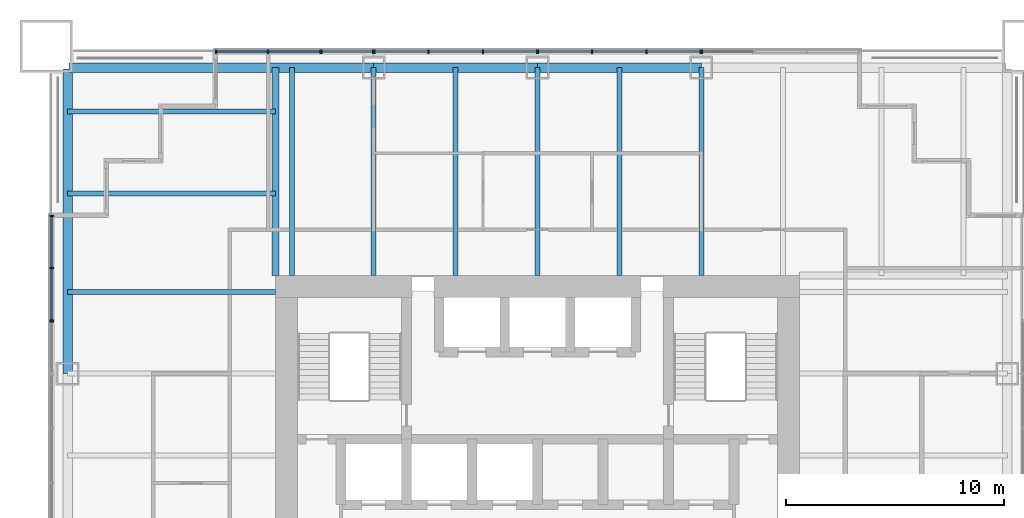
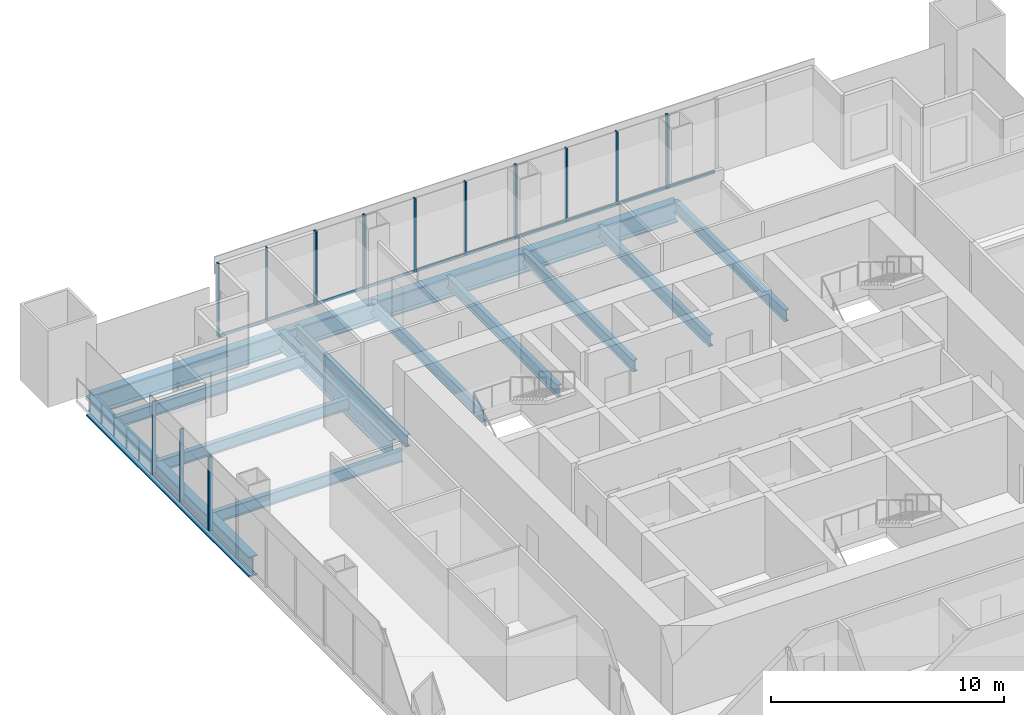
# One storey, part 5 of 13: 30 members, 14 beams, 7 elements without a shape of their own.
"""IFC4 building model written with IfcOpenShell, lengths in metres."""

from ifc_helpers import new_model, si_unit, direction, frame, origin, origin_2d, place, context, subcontext, project, spatial, rectangle, i_section, extrude, material, material_profile, profile_set, type_object, element, aggregate, save


model = new_model("IFC4")

# Units and contexts
model_context = context("Model", 3, precision=1e-05, world=origin(), true_north=direction((0.0, 1.0)))
body_context = subcontext(model_context, "Body", "Model", "MODEL_VIEW")
ifc_project = project(units=[si_unit("LENGTHUNIT", "METRE"), si_unit("AREAUNIT", "SQUARE_METRE"), si_unit("VOLUMEUNIT", "CUBIC_METRE"), si_unit("PLANEANGLEUNIT", "RADIAN"), si_unit("MASSUNIT", "GRAM", prefix="KILO")], contexts=[model_context])

# Site, building, storey
site_placement = place(None, origin())
site = spatial("IfcSite", under=ifc_project, at=site_placement, CompositionType="ELEMENT")
building_placement = place(site_placement, origin())
building = spatial("IfcBuilding", under=site, at=building_placement, Name="Tarangal Relay Tower", CompositionType="ELEMENT")
storey_placement = place(building_placement, frame((0.0, 0.0, 205.89990234375)))
storey = spatial("IfcBuildingStorey", under=building, at=storey_placement, Name="L43", CompositionType="ELEMENT", Elevation=205.89990234375)

# Beams
ifc_material_1 = material(Name="Steel ASTM A992", Category="steel")
ifc_material_profile_1 = material_profile(ifc_material_1, i_section(OverallWidth=0.227783203125, OverallDepth=0.60205078125, WebThickness=0.010498046875, FlangeThickness=0.014892578125, at=origin_2d()), Name="W24X68")
ifc_profile_set_1 = profile_set([ifc_material_profile_1], Name="Steel ASTM A992")
beam_type_1 = type_object("IfcBeamType", Name="Corner beam W24X68", PredefinedType="JOIST", material=ifc_profile_set_1)
for number, where, z_axis, x_axis, name in (
    (1, (-12.0, 15.75, -0.450927734375), (-1.0, 0.0, 0.0), (0.0, -1.0, 0.0), "Corner beam CB11 W L43"),
    (2, (-12.0, 19.5, -0.450927734375), (-1.0, 0.0, 0.0), (0.0, -1.0, 0.0), "Corner beam CB11 W L43"),
):
    element("IfcBeam", number, at=place(storey_placement, frame(where, z_axis=z_axis, x_axis=x_axis)), inside=storey, type_object=beam_type_1, Name=name, PredefinedType="JOIST", context=body_context, shape_type="SweptSolid", body=[
        extrude(i_section(OverallWidth=0.227783203125, OverallDepth=0.60205078125, WebThickness=0.010498046875, FlangeThickness=0.014892578125, at=origin_2d()), origin(), (0.0, 0.0, 1.0), 9.514892578125),
    ])
ifc_material_profile_2 = material_profile(ifc_material_1, i_section(OverallWidth=0.307373046875, OverallDepth=0.9423828125, WebThickness=0.022216796875, FlangeThickness=0.039794921875, at=origin_2d()), Name="W36X232")
ifc_profile_set_2 = profile_set([ifc_material_profile_2], Name="Steel ASTM A992")
beam_type_2 = type_object("IfcBeamType", Name="Corner girder W36X232", PredefinedType="BEAM", material=ifc_profile_set_2)
beam_1_placement = place(storey_placement, frame((-12.0, 12.0, -0.62109375), z_axis=(0.0, 1.0, 0.0), x_axis=(-1.0, 0.0, 0.0)))
element("IfcBeam", 3, at=beam_1_placement, inside=storey, type_object=beam_type_2, Name="Corner girder CG4 W L43", PredefinedType="BEAM", context=body_context, shape_type="SweptSolid", body=[
    extrude(i_section(OverallWidth=0.307373046875, OverallDepth=0.9423828125, WebThickness=0.022216796875, FlangeThickness=0.039794921875, at=origin_2d()), origin(), (0.0, 0.0, 1.0), 9.514892578125),
])
ifc_material_profile_3 = material_profile(ifc_material_1, i_section(OverallWidth=0.41650390625, OverallDepth=1.0693359375, WebThickness=0.0390625, FlangeThickness=0.070068359375, at=origin_2d()), Name="W40X503")
ifc_profile_set_3 = profile_set([ifc_material_profile_3], Name="Steel ASTM A992")
beam_type_3 = type_object("IfcBeamType", Name="Edge girder W40X503", PredefinedType="SPANDREL", material=ifc_profile_set_3)
beam_2_placement = place(storey_placement, frame((-21.449951171875, 21.514892578125, -0.6845703125), z_axis=(1.0, 0.0, 0.0), x_axis=(0.0, 1.0, 0.0)))
element("IfcBeam", 4, at=beam_2_placement, inside=storey, type_object=beam_type_3, Name="Edge girder EG8 N L43", PredefinedType="SPANDREL", context=body_context, shape_type="SweptSolid", body=[
    extrude(i_section(OverallWidth=0.41650390625, OverallDepth=1.0693359375, WebThickness=0.0390625, FlangeThickness=0.070068359375, at=origin_2d()), origin(), (0.0, 0.0, 1.0), 13.949951171875),
])
for number, where, z_axis, x_axis, name in (
    (5, (-7.5, 21.514892578125, -0.6845703125), (1.0, 0.0, 0.0), (0.0, 1.0, 0.0), "Edge girder EG8 N L43"),
    (6, (0.0, 21.514892578125, -0.6845703125), (1.0, 0.0, 0.0), (0.0, 1.0, 0.0), "Edge girder EG8 N L43"),
):
    element("IfcBeam", number, at=place(storey_placement, frame(where, z_axis=z_axis, x_axis=x_axis)), inside=storey, type_object=beam_type_3, Name=name, PredefinedType="SPANDREL", context=body_context, shape_type="SweptSolid", body=[
        extrude(i_section(OverallWidth=0.41650390625, OverallDepth=1.0693359375, WebThickness=0.0390625, FlangeThickness=0.070068359375, at=origin_2d()), origin(), (0.0, 0.0, 1.0), 7.5),
    ])
beam_3_placement = place(storey_placement, frame((-21.514892578125, 7.5, -0.6845703125), z_axis=(0.0, 1.0, 0.0), x_axis=(-1.0, 0.0, 0.0)))
element("IfcBeam", 7, at=beam_3_placement, inside=storey, type_object=beam_type_3, Name="Edge girder EG8 W L43", PredefinedType="SPANDREL", context=body_context, shape_type="SweptSolid", body=[
    extrude(i_section(OverallWidth=0.41650390625, OverallDepth=1.0693359375, WebThickness=0.0390625, FlangeThickness=0.070068359375, at=origin_2d()), origin(), (0.0, 0.0, 1.0), 13.949951171875),
])
ifc_material_profile_4 = material_profile(ifc_material_1, i_section(OverallWidth=0.22900390625, OverallDepth=0.612060546875, WebThickness=0.011962890625, FlangeThickness=0.01953125, at=origin_2d()), Name="W24X84")
ifc_profile_set_4 = profile_set([ifc_material_profile_4], Name="Steel ASTM A992")
beam_type_4 = type_object("IfcBeamType", Name="Floor beam W24X84", PredefinedType="BEAM", material=ifc_profile_set_4)
for number, where, z_axis, x_axis, name in (
    (8, (-11.25, 12.0, -0.455810546875), (0.0, 1.0, 0.0), (-1.0, 0.0, 0.0), "Floor beam RB12 N L43"),
    (9, (-7.5, 12.0, -0.455810546875), (0.0, 1.0, 0.0), (-1.0, 0.0, 0.0), "Floor beam RB12 N L43"),
    (10, (-3.75, 12.0, -0.455810546875), (0.0, 1.0, 0.0), (-1.0, 0.0, 0.0), "Floor beam RB12 N L43"),
    (11, (0.0, 12.0, -0.455810546875), (0.0, 1.0, 0.0), (-1.0, 0.0, 0.0), "Floor beam RB12 N L43"),
    (12, (3.75, 12.0, -0.455810546875), (0.0, 1.0, 0.0), (-1.0, 0.0, 0.0), "Floor beam RB12 N L43"),
    (13, (7.5, 12.0, -0.455810546875), (0.0, 1.0, 0.0), (-1.0, 0.0, 0.0), "Floor beam RB12 N L43"),
    (14, (-12.0, 11.25, -0.455810546875), (-1.0, 0.0, 0.0), (0.0, -1.0, 0.0), "Floor beam RB12 W L43"),
):
    element("IfcBeam", number, at=place(storey_placement, frame(where, z_axis=z_axis, x_axis=x_axis)), inside=storey, type_object=beam_type_4, Name=name, PredefinedType="BEAM", context=body_context, shape_type="SweptSolid", body=[
        extrude(i_section(OverallWidth=0.22900390625, OverallDepth=0.612060546875, WebThickness=0.011962890625, FlangeThickness=0.01953125, at=origin_2d()), origin(), (0.0, 0.0, 1.0), 9.514892578125),
    ])

# Curtain wall, members
ifc_material_2 = material(Name="Unitised curtain wall, dark glass and black aluminium", Category="aluminium")
curtain_wall_type_1 = type_object("IfcCurtainWallType", Name="Curtain wall CW-A", PredefinedType="USERDEFINED", material=ifc_material_2)
curtain_wall_1_placement = place(storey_placement, origin())
curtain_wall_1 = element("IfcCurtainWall", 15, at=curtain_wall_1_placement, inside=storey, type_object=curtain_wall_type_1, Name="Curtain wall CW-A N facade L43", ObjectType="UNITISED CURTAIN WALL", PredefinedType="USERDEFINED")
ifc_material_3 = material(Name="Black anodised aluminium mullion", Category="aluminium")
ifc_material_profile_5 = material_profile(ifc_material_3, rectangle(XDim=0.175048828125, YDim=0.06494140625, at=origin_2d()), Name="CW-AM 65X175")
ifc_profile_set_5 = profile_set([ifc_material_profile_5], Name="Black anodised aluminium mullion")
member_type_1 = type_object("IfcMemberType", Name="Mullion CW-A 65 x 175", PredefinedType="MULLION", material=ifc_profile_set_5)
member_1_placement = place(storey_placement, frame((-9.88427734375, 22.25, 0.0), z_axis=(0.0, 0.0, 1.0), x_axis=(0.0, 1.0, 0.0)))
member_1 = element("IfcMember", 16, at=member_1_placement, type_object=member_type_1, Name="CW-A mullion 1", PredefinedType="MULLION", context=body_context, shape_type="SweptSolid", body=[
    extrude(rectangle(XDim=0.175048828125, YDim=0.06494140625, at=origin_2d()), origin(), (0.0, 0.0, 1.0), 3.85009765625),
])
member_2_placement = place(storey_placement, frame((-7.532470703125, 22.25, 0.0), z_axis=(0.0, 0.0, 1.0), x_axis=(0.0, 1.0, 0.0)))
member_2 = element("IfcMember", 17, at=member_2_placement, type_object=member_type_1, Name="CW-A mullion 2", PredefinedType="MULLION", context=body_context, shape_type="SweptSolid", body=[
    extrude(rectangle(XDim=0.175048828125, YDim=0.06494140625, at=origin_2d()), origin(), (0.0, 0.0, 1.0), 3.85009765625),
])

curtain_wall_2_placement = place(storey_placement, origin())
curtain_wall_2 = element("IfcCurtainWall", 18, at=curtain_wall_2_placement, inside=storey, type_object=curtain_wall_type_1, Name="Curtain wall CW-A N facade L43", ObjectType="UNITISED CURTAIN WALL", PredefinedType="USERDEFINED")
member_3_placement = place(storey_placement, frame((-7.467529296875, 22.25, 0.0), z_axis=(0.0, 0.0, 1.0), x_axis=(0.0, 1.0, 0.0)))
member_3 = element("IfcMember", 19, at=member_3_placement, type_object=member_type_1, Name="CW-A mullion 1", PredefinedType="MULLION", context=body_context, shape_type="SweptSolid", body=[
    extrude(rectangle(XDim=0.175048828125, YDim=0.06494140625, at=origin_2d()), origin(), (0.0, 0.0, 1.0), 3.85009765625),
])
member_4_placement = place(storey_placement, frame((-5.0, 22.25, 0.0), z_axis=(0.0, 0.0, 1.0), x_axis=(0.0, 1.0, 0.0)))
member_4 = element("IfcMember", 20, at=member_4_placement, type_object=member_type_1, Name="CW-A mullion 2", PredefinedType="MULLION", context=body_context, shape_type="SweptSolid", body=[
    extrude(rectangle(XDim=0.175048828125, YDim=0.06494140625, at=origin_2d()), origin(), (0.0, 0.0, 1.0), 3.85009765625),
])
member_5_placement = place(storey_placement, frame((-2.5, 22.25, 0.0), z_axis=(0.0, 0.0, 1.0), x_axis=(0.0, 1.0, 0.0)))
member_5 = element("IfcMember", 21, at=member_5_placement, type_object=member_type_1, Name="CW-A mullion 3", PredefinedType="MULLION", context=body_context, shape_type="SweptSolid", body=[
    extrude(rectangle(XDim=0.175048828125, YDim=0.06494140625, at=origin_2d()), origin(), (0.0, 0.0, 1.0), 3.85009765625),
])
member_6_placement = place(storey_placement, frame((-0.032470703125, 22.25, 0.0), z_axis=(0.0, 0.0, 1.0), x_axis=(0.0, 1.0, 0.0)))
member_6 = element("IfcMember", 22, at=member_6_placement, type_object=member_type_1, Name="CW-A mullion 4", PredefinedType="MULLION", context=body_context, shape_type="SweptSolid", body=[
    extrude(rectangle(XDim=0.175048828125, YDim=0.06494140625, at=origin_2d()), origin(), (0.0, 0.0, 1.0), 3.85009765625),
])

curtain_wall_3_placement = place(storey_placement, origin())
curtain_wall_3 = element("IfcCurtainWall", 23, at=curtain_wall_3_placement, inside=storey, type_object=curtain_wall_type_1, Name="Curtain wall CW-A N facade L43", ObjectType="UNITISED CURTAIN WALL", PredefinedType="USERDEFINED")
member_7_placement = place(storey_placement, frame((0.032470703125, 22.25, 0.0), z_axis=(0.0, 0.0, 1.0), x_axis=(0.0, 1.0, 0.0)))
member_7 = element("IfcMember", 24, at=member_7_placement, type_object=member_type_1, Name="CW-A mullion 1", PredefinedType="MULLION", context=body_context, shape_type="SweptSolid", body=[
    extrude(rectangle(XDim=0.175048828125, YDim=0.06494140625, at=origin_2d()), origin(), (0.0, 0.0, 1.0), 3.85009765625),
])
member_8_placement = place(storey_placement, frame((2.5, 22.25, 0.0), z_axis=(0.0, 0.0, 1.0), x_axis=(0.0, 1.0, 0.0)))
member_8 = element("IfcMember", 25, at=member_8_placement, type_object=member_type_1, Name="CW-A mullion 2", PredefinedType="MULLION", context=body_context, shape_type="SweptSolid", body=[
    extrude(rectangle(XDim=0.175048828125, YDim=0.06494140625, at=origin_2d()), origin(), (0.0, 0.0, 1.0), 3.85009765625),
])
member_9_placement = place(storey_placement, frame((5.0, 22.25, 0.0), z_axis=(0.0, 0.0, 1.0), x_axis=(0.0, 1.0, 0.0)))
member_9 = element("IfcMember", 26, at=member_9_placement, type_object=member_type_1, Name="CW-A mullion 3", PredefinedType="MULLION", context=body_context, shape_type="SweptSolid", body=[
    extrude(rectangle(XDim=0.175048828125, YDim=0.06494140625, at=origin_2d()), origin(), (0.0, 0.0, 1.0), 3.85009765625),
])
member_10_placement = place(storey_placement, frame((7.467529296875, 22.25, 0.0), z_axis=(0.0, 0.0, 1.0), x_axis=(0.0, 1.0, 0.0)))
member_10 = element("IfcMember", 27, at=member_10_placement, type_object=member_type_1, Name="CW-A mullion 4", PredefinedType="MULLION", context=body_context, shape_type="SweptSolid", body=[
    extrude(rectangle(XDim=0.175048828125, YDim=0.06494140625, at=origin_2d()), origin(), (0.0, 0.0, 1.0), 3.85009765625),
])

# Curtain wall, member
curtain_wall_4_placement = place(storey_placement, origin())
curtain_wall_4 = element("IfcCurtainWall", 28, at=curtain_wall_4_placement, inside=storey, type_object=curtain_wall_type_1, Name="Curtain wall CW-A N facade L43", ObjectType="UNITISED CURTAIN WALL", PredefinedType="USERDEFINED")
member_11_placement = place(storey_placement, frame((7.532470703125, 22.25, 0.0), z_axis=(0.0, 0.0, 1.0), x_axis=(0.0, 1.0, 0.0)))
member_11 = element("IfcMember", 29, at=member_11_placement, type_object=member_type_1, Name="CW-A mullion 1", PredefinedType="MULLION", context=body_context, shape_type="SweptSolid", body=[
    extrude(rectangle(XDim=0.175048828125, YDim=0.06494140625, at=origin_2d()), origin(), (0.0, 0.0, 1.0), 3.85009765625),
])

curtain_wall_5_placement = place(storey_placement, origin())
curtain_wall_5 = element("IfcCurtainWall", 30, at=curtain_wall_5_placement, inside=storey, type_object=curtain_wall_type_1, Name="Curtain wall CW-A W facade L43", ObjectType="UNITISED CURTAIN WALL", PredefinedType="USERDEFINED")
member_12_placement = place(storey_placement, frame((-22.25, 9.88427734375, 0.0), z_axis=(0.0, 0.0, 1.0), x_axis=(-1.0, 0.0, 0.0)))
member_12 = element("IfcMember", 31, at=member_12_placement, type_object=member_type_1, Name="CW-A mullion 2", PredefinedType="MULLION", context=body_context, shape_type="SweptSolid", body=[
    extrude(rectangle(XDim=0.175048828125, YDim=0.06494140625, at=origin_2d()), origin(), (0.0, 0.0, 1.0), 3.85009765625),
])
aggregate(curtain_wall_5, [member_12])

# Curtain wall, members
ifc_material_4 = material(Name="Unitised curtain wall frame, black aluminium, with metal clad infill walls", Category="aluminium")
curtain_wall_type_2 = type_object("IfcCurtainWallType", Name="Curtain wall CW-AO", PredefinedType="USERDEFINED", material=ifc_material_4)
curtain_wall_6_placement = place(storey_placement, origin())
curtain_wall_6 = element("IfcCurtainWall", 32, at=curtain_wall_6_placement, inside=storey, type_object=curtain_wall_type_2, Name="Curtain wall CW-AO N facade L43", ObjectType="UNITISED CURTAIN WALL", PredefinedType="USERDEFINED")
ifc_material_profile_6 = material_profile(ifc_material_3, rectangle(XDim=0.175048828125, YDim=0.06494140625, at=origin_2d()), Name="CW-AOM 65X175")
ifc_profile_set_6 = profile_set([ifc_material_profile_6], Name="Black anodised aluminium mullion")
member_type_2 = type_object("IfcMemberType", Name="Mullion CW-AO 65 x 175", PredefinedType="MULLION", material=ifc_profile_set_6)
member_13_placement = place(storey_placement, frame((-14.717529296875, 22.25, 0.0), z_axis=(0.0, 0.0, 1.0), x_axis=(0.0, 1.0, 0.0)))
member_13 = element("IfcMember", 33, at=member_13_placement, type_object=member_type_2, Name="CW-AO mullion 1", PredefinedType="MULLION", context=body_context, shape_type="SweptSolid", body=[
    extrude(rectangle(XDim=0.175048828125, YDim=0.06494140625, at=origin_2d()), origin(), (0.0, 0.0, 1.0), 3.85009765625),
])
member_14_placement = place(storey_placement, frame((-12.333251953125, 22.25, 0.0), z_axis=(0.0, 0.0, 1.0), x_axis=(0.0, 1.0, 0.0)))
member_14 = element("IfcMember", 34, at=member_14_placement, type_object=member_type_2, Name="CW-AO mullion 2", PredefinedType="MULLION", context=body_context, shape_type="SweptSolid", body=[
    extrude(rectangle(XDim=0.175048828125, YDim=0.06494140625, at=origin_2d()), origin(), (0.0, 0.0, 1.0), 3.85009765625),
])
member_15_placement = place(storey_placement, frame((-9.94921875, 22.25, 0.0), z_axis=(0.0, 0.0, 1.0), x_axis=(0.0, 1.0, 0.0)))
member_15 = element("IfcMember", 35, at=member_15_placement, type_object=member_type_2, Name="CW-AO mullion 3", PredefinedType="MULLION", context=body_context, shape_type="SweptSolid", body=[
    extrude(rectangle(XDim=0.175048828125, YDim=0.06494140625, at=origin_2d()), origin(), (0.0, 0.0, 1.0), 3.85009765625),
])

curtain_wall_7_placement = place(storey_placement, origin())
curtain_wall_7 = element("IfcCurtainWall", 36, at=curtain_wall_7_placement, inside=storey, type_object=curtain_wall_type_2, Name="Curtain wall CW-AO W facade L43", ObjectType="UNITISED CURTAIN WALL", PredefinedType="USERDEFINED")
member_16_placement = place(storey_placement, frame((-22.25, 9.94921875, 0.0), z_axis=(0.0, 0.0, 1.0), x_axis=(-1.0, 0.0, 0.0)))
member_16 = element("IfcMember", 37, at=member_16_placement, type_object=member_type_2, Name="CW-AO mullion 1", PredefinedType="MULLION", context=body_context, shape_type="SweptSolid", body=[
    extrude(rectangle(XDim=0.175048828125, YDim=0.06494140625, at=origin_2d()), origin(), (0.0, 0.0, 1.0), 3.85009765625),
])
member_17_placement = place(storey_placement, frame((-22.25, 12.333251953125, 0.0), z_axis=(0.0, 0.0, 1.0), x_axis=(-1.0, 0.0, 0.0)))
member_17 = element("IfcMember", 38, at=member_17_placement, type_object=member_type_2, Name="CW-AO mullion 2", PredefinedType="MULLION", context=body_context, shape_type="SweptSolid", body=[
    extrude(rectangle(XDim=0.175048828125, YDim=0.06494140625, at=origin_2d()), origin(), (0.0, 0.0, 1.0), 3.85009765625),
])
member_18_placement = place(storey_placement, frame((-22.25, 14.717529296875, 0.0), z_axis=(0.0, 0.0, 1.0), x_axis=(-1.0, 0.0, 0.0)))
member_18 = element("IfcMember", 39, at=member_18_placement, type_object=member_type_2, Name="CW-AO mullion 3", PredefinedType="MULLION", context=body_context, shape_type="SweptSolid", body=[
    extrude(rectangle(XDim=0.175048828125, YDim=0.06494140625, at=origin_2d()), origin(), (0.0, 0.0, 1.0), 3.85009765625),
])

# Member
ifc_material_5 = material(Name="Black anodised aluminium transom", Category="aluminium")
ifc_material_profile_7 = material_profile(ifc_material_5, rectangle(XDim=0.06494140625, YDim=0.14990234375, at=origin_2d()), Name="CW-AT 65X150")
ifc_profile_set_7 = profile_set([ifc_material_profile_7], Name="Black anodised aluminium transom")
member_type_3 = type_object("IfcMemberType", Name="Transom CW-A 65 x 150", PredefinedType="USERDEFINED", material=ifc_profile_set_7)
member_19_placement = place(storey_placement, frame((-9.851806640625, 22.25, 0.03271484375), z_axis=(1.0, 0.0, 0.0), x_axis=(0.0, 1.0, 0.0)))
member_19 = element("IfcMember", 40, at=member_19_placement, type_object=member_type_3, Name="CW-A transom 1.1", ObjectType="TRANSOM", PredefinedType="USERDEFINED", context=body_context, shape_type="SweptSolid", body=[
    extrude(rectangle(XDim=0.06494140625, YDim=0.14990234375, at=origin_2d()), origin(), (0.0, 0.0, 1.0), 2.286865234375),
])

aggregate(curtain_wall_1, [member_1, member_2, member_19])

member_20_placement = place(storey_placement, frame((-7.43505859375, 22.25, 0.03271484375), z_axis=(1.0, 0.0, 0.0), x_axis=(0.0, 1.0, 0.0)))
member_20 = element("IfcMember", 41, at=member_20_placement, type_object=member_type_3, Name="CW-A transom 1.1", ObjectType="TRANSOM", PredefinedType="USERDEFINED", context=body_context, shape_type="SweptSolid", body=[
    extrude(rectangle(XDim=0.06494140625, YDim=0.14990234375, at=origin_2d()), origin(), (0.0, 0.0, 1.0), 2.402587890625),
])

member_21_placement = place(storey_placement, frame((-4.967529296875, 22.25, 0.03271484375), z_axis=(1.0, 0.0, 0.0), x_axis=(0.0, 1.0, 0.0)))
member_21 = element("IfcMember", 42, at=member_21_placement, type_object=member_type_3, Name="CW-A transom 2.1", ObjectType="TRANSOM", PredefinedType="USERDEFINED", context=body_context, shape_type="SweptSolid", body=[
    extrude(rectangle(XDim=0.06494140625, YDim=0.14990234375, at=origin_2d()), origin(), (0.0, 0.0, 1.0), 2.43505859375),
])

member_22_placement = place(storey_placement, frame((-2.467529296875, 22.25, 0.03271484375), z_axis=(1.0, 0.0, 0.0), x_axis=(0.0, 1.0, 0.0)))
member_22 = element("IfcMember", 43, at=member_22_placement, type_object=member_type_3, Name="CW-A transom 3.1", ObjectType="TRANSOM", PredefinedType="USERDEFINED", context=body_context, shape_type="SweptSolid", body=[
    extrude(rectangle(XDim=0.06494140625, YDim=0.14990234375, at=origin_2d()), origin(), (0.0, 0.0, 1.0), 2.402587890625),
])

aggregate(curtain_wall_2, [member_3, member_4, member_5, member_6, member_20, member_21, member_22])

member_23_placement = place(storey_placement, frame((0.06494140625, 22.25, 0.03271484375), z_axis=(1.0, 0.0, 0.0), x_axis=(0.0, 1.0, 0.0)))
member_23 = element("IfcMember", 44, at=member_23_placement, type_object=member_type_3, Name="CW-A transom 1.1", ObjectType="TRANSOM", PredefinedType="USERDEFINED", context=body_context, shape_type="SweptSolid", body=[
    extrude(rectangle(XDim=0.06494140625, YDim=0.14990234375, at=origin_2d()), origin(), (0.0, 0.0, 1.0), 2.402587890625),
])

member_24_placement = place(storey_placement, frame((2.532470703125, 22.25, 0.03271484375), z_axis=(1.0, 0.0, 0.0), x_axis=(0.0, 1.0, 0.0)))
member_24 = element("IfcMember", 45, at=member_24_placement, type_object=member_type_3, Name="CW-A transom 2.1", ObjectType="TRANSOM", PredefinedType="USERDEFINED", context=body_context, shape_type="SweptSolid", body=[
    extrude(rectangle(XDim=0.06494140625, YDim=0.14990234375, at=origin_2d()), origin(), (0.0, 0.0, 1.0), 2.43505859375),
])

member_25_placement = place(storey_placement, frame((5.032470703125, 22.25, 0.03271484375), z_axis=(1.0, 0.0, 0.0), x_axis=(0.0, 1.0, 0.0)))
member_25 = element("IfcMember", 46, at=member_25_placement, type_object=member_type_3, Name="CW-A transom 3.1", ObjectType="TRANSOM", PredefinedType="USERDEFINED", context=body_context, shape_type="SweptSolid", body=[
    extrude(rectangle(XDim=0.06494140625, YDim=0.14990234375, at=origin_2d()), origin(), (0.0, 0.0, 1.0), 2.402587890625),
])

aggregate(curtain_wall_3, [member_7, member_8, member_9, member_10, member_23, member_24, member_25])

member_26_placement = place(storey_placement, frame((7.56494140625, 22.25, 0.03271484375), z_axis=(1.0, 0.0, 0.0), x_axis=(0.0, 1.0, 0.0)))
member_26 = element("IfcMember", 47, at=member_26_placement, type_object=member_type_3, Name="CW-A transom 1.1", ObjectType="TRANSOM", PredefinedType="USERDEFINED", context=body_context, shape_type="SweptSolid", body=[
    extrude(rectangle(XDim=0.06494140625, YDim=0.14990234375, at=origin_2d()), origin(), (0.0, 0.0, 1.0), 2.286865234375),
])

aggregate(curtain_wall_4, [member_11, member_26])

ifc_material_profile_8 = material_profile(ifc_material_5, rectangle(XDim=0.06494140625, YDim=0.14990234375, at=origin_2d()), Name="CW-AOT 65X150")
ifc_profile_set_8 = profile_set([ifc_material_profile_8], Name="Black anodised aluminium transom")
member_type_4 = type_object("IfcMemberType", Name="Transom CW-AO 65 x 150", PredefinedType="USERDEFINED", material=ifc_profile_set_8)
member_27_placement = place(storey_placement, frame((-14.68505859375, 22.25, 0.03271484375), z_axis=(1.0, 0.0, 0.0), x_axis=(0.0, 1.0, 0.0)))
member_27 = element("IfcMember", 48, at=member_27_placement, type_object=member_type_4, Name="CW-AO transom 1.1", ObjectType="TRANSOM", PredefinedType="USERDEFINED", context=body_context, shape_type="SweptSolid", body=[
    extrude(rectangle(XDim=0.06494140625, YDim=0.14990234375, at=origin_2d()), origin(), (0.0, 0.0, 1.0), 2.319091796875),
])

member_28_placement = place(storey_placement, frame((-12.30078125, 22.25, 0.03271484375), z_axis=(1.0, 0.0, 0.0), x_axis=(0.0, 1.0, 0.0)))
member_28 = element("IfcMember", 49, at=member_28_placement, type_object=member_type_4, Name="CW-AO transom 2.1", ObjectType="TRANSOM", PredefinedType="USERDEFINED", context=body_context, shape_type="SweptSolid", body=[
    extrude(rectangle(XDim=0.06494140625, YDim=0.14990234375, at=origin_2d()), origin(), (0.0, 0.0, 1.0), 2.319091796875),
])

aggregate(curtain_wall_6, [member_13, member_14, member_15, member_27, member_28])

member_29_placement = place(storey_placement, frame((-22.25, 9.981689453125, 0.03271484375), z_axis=(0.0, 1.0, 0.0), x_axis=(-1.0, 0.0, 0.0)))
member_29 = element("IfcMember", 50, at=member_29_placement, type_object=member_type_4, Name="CW-AO transom 1.1", ObjectType="TRANSOM", PredefinedType="USERDEFINED", context=body_context, shape_type="SweptSolid", body=[
    extrude(rectangle(XDim=0.06494140625, YDim=0.14990234375, at=origin_2d()), origin(), (0.0, 0.0, 1.0), 2.319091796875),
])

member_30_placement = place(storey_placement, frame((-22.25, 12.365966796875, 0.03271484375), z_axis=(0.0, 1.0, 0.0), x_axis=(-1.0, 0.0, 0.0)))
member_30 = element("IfcMember", 51, at=member_30_placement, type_object=member_type_4, Name="CW-AO transom 2.1", ObjectType="TRANSOM", PredefinedType="USERDEFINED", context=body_context, shape_type="SweptSolid", body=[
    extrude(rectangle(XDim=0.06494140625, YDim=0.14990234375, at=origin_2d()), origin(), (0.0, 0.0, 1.0), 2.319091796875),
])

aggregate(curtain_wall_7, [member_16, member_17, member_18, member_29, member_30])

save(model, "model.ifc")
